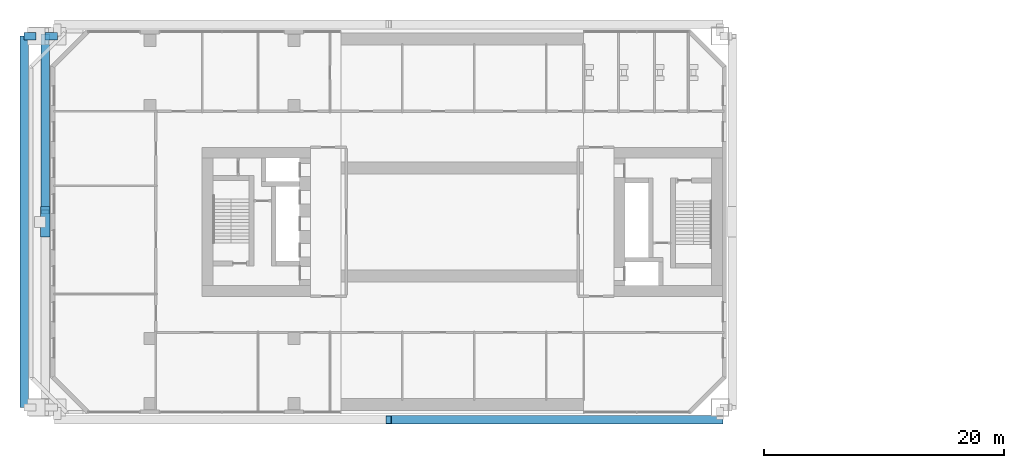
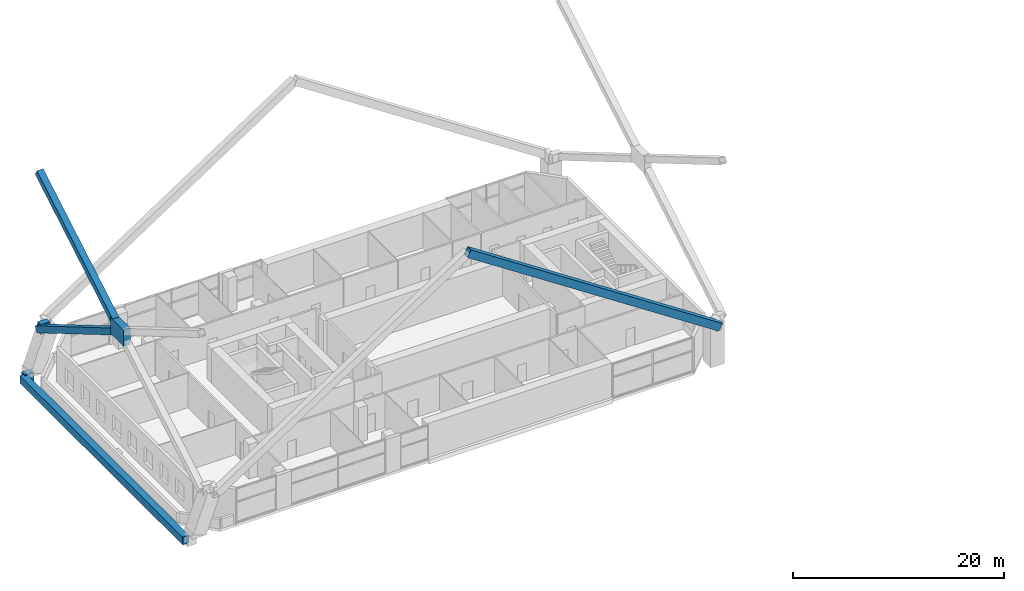
# One storey, part 4 of 25: 4 members, 3 beams.
"""IFC4 building model written with IfcOpenShell, lengths in metres."""

import ifcopenshell
import ifcopenshell.guid

model = None  # the IFC model being written
_history = None  # IfcOwnerHistory: only IFC2X3 demands one
_inside = {}  # id of a spatial element -> (the spatial element, [elements in it])
_under = {}  # id of a project, library or spatial element -> (it, [spatial elements below it])
_declared = {}  # id of a project -> (the project, [libraries it declares])
_typed = {}  # id of a type object -> (the type object, [elements of that type])
_made_of = {}  # id of a material, layer set ... -> (it, [elements and type objects made of it])


def new_model(schema):
    """Start an empty IFC model of exactly this schema.

    Asked for "IFC4X3", IfcOpenShell would pick the latest addendum, in which some entities
    have other attributes; the version numbers below select the first issue.
    IFC2X3 requires an IfcOwnerHistory on every rooted entity: one is made here for all.
    """
    global model, _history
    if schema == "IFC4X3":
        model = ifcopenshell.file(schema_version=(4, 3, 0, 0))
    else:
        model = ifcopenshell.file(schema=schema)
    _inside.clear()
    _under.clear()
    _declared.clear()
    _typed.clear()
    _made_of.clear()
    _history = None
    if model.schema == "IFC2X3":
        org = make("IfcOrganization", Name="unknown")
        user = make(
            "IfcPersonAndOrganization",
            ThePerson=make("IfcPerson", FamilyName="unknown"),
            TheOrganization=org,
        )
        app = make(
            "IfcApplication",
            ApplicationDeveloper=org,
            Version="unknown",
            ApplicationFullName="unknown",
            ApplicationIdentifier="unknown",
        )
        _history = make(
            "IfcOwnerHistory",
            OwningUser=user,
            OwningApplication=app,
            ChangeAction="ADDED",
            CreationDate=0,
        )
    return model


def make(cls, **values):
    """One entity of the class cls with the attributes given. An attribute that is None is left unset."""
    return model.create_entity(
        cls, **{name: value for name, value in values.items() if value is not None}
    )


def rooted(cls, **values):
    """An entity with a GlobalId (a new one), such as an element, a storey or a relation."""
    return make(cls, GlobalId=ifcopenshell.guid.new(), OwnerHistory=_history, **values)


def si_unit(unit_type, name, prefix=None):
    """IfcSIUnit, for example si_unit("LENGTHUNIT", "METRE", prefix="MILLI")."""
    return make("IfcSIUnit", UnitType=unit_type, Prefix=prefix, Name=name)


def assignment(units):
    """IfcUnitAssignment: the units of a project."""
    return None if units is None else make("IfcUnitAssignment", Units=units)


def point(xyz):
    """IfcCartesianPoint."""
    return None if xyz is None else make("IfcCartesianPoint", Coordinates=xyz)


def direction(xyz):
    """IfcDirection."""
    return None if xyz is None else make("IfcDirection", DirectionRatios=xyz)


def frame(location, z_axis=None, x_axis=None):
    """IfcAxis2Placement3D, a coordinate frame: its origin and axes. An axis left out is left unset."""
    return make(
        "IfcAxis2Placement3D",
        Location=point(location),
        Axis=direction(z_axis),
        RefDirection=direction(x_axis),
    )


def frame_2d(location, x_axis=None):
    """IfcAxis2Placement2D, a coordinate frame in the plane: its origin and x axis."""
    return make(
        "IfcAxis2Placement2D", Location=point(location), RefDirection=direction(x_axis)
    )


def origin():
    """The frame at (0, 0, 0) with its axes left unset."""
    return frame((0.0, 0.0, 0.0))


def origin_2d():
    """The frame at (0, 0) in the plane with its x axis left unset."""
    return frame_2d((0.0, 0.0))


def place(relative_to, where):
    """IfcLocalPlacement: puts the frame where relative to a parent placement (None: the world)."""
    return make(
        "IfcLocalPlacement", PlacementRelTo=relative_to, RelativePlacement=where
    )


def context(
    kind, dimensions, precision=None, world=None, true_north=None, identifier=None
):
    """IfcGeometricRepresentationContext, for example the 3D "Model" context."""
    return make(
        "IfcGeometricRepresentationContext",
        ContextIdentifier=identifier,
        ContextType=kind,
        CoordinateSpaceDimension=dimensions,
        Precision=precision,
        WorldCoordinateSystem=world,
        TrueNorth=true_north,
    )


def subcontext(parent, identifier, kind, view, scale=None):
    """IfcGeometricRepresentationSubContext, for example "Body" below "Model"."""
    return make(
        "IfcGeometricRepresentationSubContext",
        ContextIdentifier=identifier,
        ContextType=kind,
        ParentContext=parent,
        TargetScale=scale,
        TargetView=view,
    )


def project(units=None, contexts=None):
    """IfcProject with its units and contexts."""
    return rooted(
        "IfcProject",
        Name="project",
        RepresentationContexts=contexts,
        UnitsInContext=assignment(units),
    )


def spatial(cls, under=None, at=None, **own):
    """A site, building, storey or space (cls), placed at a placement, below another one or the project."""
    s = rooted(cls, ObjectPlacement=at, **own)
    if under is not None:
        _under.setdefault(under.id(), (under, []))[1].append(s)
    return s


def profile(cls, at=None, kind="AREA", **sizes):
    """A parametric profile (cls). Its sizes go by their IFC names, for example OverallWidth=200.0."""
    return make(cls, ProfileType=kind, Position=at, **sizes)


def rectangle(**sizes):
    """IfcRectangleProfileDef."""
    return profile("IfcRectangleProfileDef", **sizes)


def hollow_rectangle(**sizes):
    """IfcRectangleHollowProfileDef."""
    return profile("IfcRectangleHollowProfileDef", **sizes)


def extrude(swept, where, along, depth):
    """IfcExtrudedAreaSolid: the profile swept, set in the frame where, extruded along a direction by depth."""
    return make(
        "IfcExtrudedAreaSolid",
        SweptArea=swept,
        Position=where,
        ExtrudedDirection=direction(along),
        Depth=depth,
    )


def shape(context_of_items, identifier, shape_type, items):
    """IfcShapeRepresentation: the items that make up one representation, for example the "Body"."""
    return make(
        "IfcShapeRepresentation",
        ContextOfItems=context_of_items,
        RepresentationIdentifier=identifier,
        RepresentationType=shape_type,
        Items=items,
    )


def material(Name=None, Category=None):
    """IfcMaterial."""
    return make("IfcMaterial", Name=Name, Category=Category)


def material_profile(
    of_material, cross_section, Name=None, Category=None, Priority=None
):
    """IfcMaterialProfile: a cross section and its material."""
    return make(
        "IfcMaterialProfile",
        Name=Name,
        Material=of_material,
        Profile=cross_section,
        Priority=Priority,
        Category=Category,
    )


def profile_set(profiles, Name=None, composite=None):
    """IfcMaterialProfileSet."""
    return make(
        "IfcMaterialProfileSet",
        Name=Name,
        MaterialProfiles=profiles,
        CompositeProfile=composite,
    )


def made_of(thing, what):
    """Note that an element or type object is made of a material, layer set ...; save() writes the relation."""
    if what is not None:
        _made_of.setdefault(what.id(), (what, []))[1].append(thing)
    return thing


def type_object(cls, material=None, **own):
    """A type object (cls), such as IfcWallType, which elements share."""
    return made_of(rooted(cls, **own), material)


def element(
    cls,
    number,
    at=None,
    inside=None,
    cuts=None,
    type_object=None,
    material=None,
    context=None,
    identifier="Body",
    shape_type=None,
    held_by="IfcProductDefinitionShape",
    body=None,
    shapes=None,
    **own,
):
    """One element of the class cls, such as IfcWall. Its Tag is "e" and its number.

    at: its placement. inside: the storey or other place that contains it. cuts: it is an
    opening in that element (IfcRelVoidsElement). A single representation is given by context,
    identifier, shape_type and body (its items); several are given by shapes. held_by: the class
    of the entity that holds the representations. save() writes the other relations.
    """
    e = rooted(cls, Tag="e%d" % number, ObjectPlacement=at, **own)
    if body is not None:
        shapes = [shape(context, identifier, shape_type, body)]
    if shapes is not None:
        e.Representation = make(held_by, Representations=shapes)
    if inside is not None:
        _inside.setdefault(inside.id(), (inside, []))[1].append(e)
    if cuts is not None:
        rooted(
            "IfcRelVoidsElement", RelatingBuildingElement=cuts, RelatedOpeningElement=e
        )
    if type_object is not None:
        _typed.setdefault(type_object.id(), (type_object, []))[1].append(e)
    return made_of(e, material)


def aggregate(whole, parts):
    """IfcRelAggregates: a whole, such as a stair, and the parts it consists of."""
    return rooted("IfcRelAggregates", RelatingObject=whole, RelatedObjects=parts)


def save(model, path):
    """Write the relations noted so far, then the file.

    IfcRelAggregates (storeys below a building ...), IfcRelContainedInSpatialStructure (elements
    in a storey), IfcRelDefinesByType, IfcRelAssociatesMaterial and IfcRelDeclares: one each for
    every whole, place, type object, material and project.
    """
    for whole, parts in _under.values():
        aggregate(whole, parts)
    for where, things in _inside.values():
        rooted(
            "IfcRelContainedInSpatialStructure",
            RelatedElements=things,
            RelatingStructure=where,
        )
    for kind, things in _typed.values():
        rooted("IfcRelDefinesByType", RelatedObjects=things, RelatingType=kind)
    for what, things in _made_of.values():
        rooted("IfcRelAssociatesMaterial", RelatedObjects=things, RelatingMaterial=what)
    for by, libraries in _declared.values():
        rooted("IfcRelDeclares", RelatingContext=by, RelatedDefinitions=libraries)
    model.write(path)


model = new_model("IFC4")

# Units and contexts
model_context = context("Model", 3, precision=1e-05, world=origin(), true_north=direction((0.0, 1.0)))
body_context = subcontext(model_context, "Body", "Model", "MODEL_VIEW")
ifc_project = project(units=[si_unit("LENGTHUNIT", "METRE"), si_unit("AREAUNIT", "SQUARE_METRE"), si_unit("VOLUMEUNIT", "CUBIC_METRE"), si_unit("PLANEANGLEUNIT", "RADIAN"), si_unit("MASSUNIT", "GRAM", prefix="KILO")], contexts=[model_context])

# Site, building, storey
site_placement = place(None, origin())
site = spatial("IfcSite", under=ifc_project, at=site_placement, CompositionType="ELEMENT")
building_placement = place(site_placement, origin())
building = spatial("IfcBuilding", under=site, at=building_placement, Name="Tuart Gate Housing", CompositionType="ELEMENT")
storey_placement = place(building_placement, frame((0.0, 0.0, 14.699951171875)))
storey = spatial("IfcBuildingStorey", under=building, at=storey_placement, Name="L03", CompositionType="ELEMENT", Elevation=14.699951171875)

# Member
ifc_material_1 = material(Name="Steel Grade 350", Category="steel")
ifc_material_profile_1 = material_profile(ifc_material_1, rectangle(XDim=2.537109375, YDim=1.864013671875, at=origin_2d()), Name="Brace node plate 2537 x 1864")
ifc_profile_set_1 = profile_set([ifc_material_profile_1], Name="Steel Grade 350")
member_type_1 = type_object("IfcMemberType", Name="Brace node plate 2537 x 1864", PredefinedType="PLATE", material=ifc_profile_set_1)
member_1_placement = place(storey_placement, frame((18.9150390625, 70.0, 13.900146484375), z_axis=(1.0, 0.0, 0.0), x_axis=(0.0, 1.0, 0.0)))
element("IfcMember", 1, at=member_1_placement, inside=storey, type_object=member_type_1, Name="Brace node A zone 1 west", PredefinedType="PLATE", context=body_context, shape_type="SweptSolid", body=[
    extrude(rectangle(XDim=2.537109375, YDim=1.864013671875, at=origin_2d()), origin(), (0.0, 0.0, 1.0), 0.77001953125),
])

# Beams
ifc_material_2 = material(Name="Steel Grade 350", Category="steel")
ifc_material_profile_2 = material_profile(ifc_material_2, hollow_rectangle(XDim=0.60009765625, YDim=1.199951171875, WallThickness=0.0400390625, at=origin_2d()), Name="BOX 1200x600x40")
ifc_profile_set_2 = profile_set([ifc_material_profile_2], Name="Steel Grade 350")
beam_type_1 = type_object("IfcBeamType", Name="Brace shoe BOX 1200x600x40", PredefinedType="BEAM", material=ifc_profile_set_2)
for number, where, z_axis, x_axis, name in (
    (2, (18.550048828125, 85.449951171875, -0.39990234375), (-1.0, 0.0, 0.0), (0.0, -1.0, 0.0), "Mega tie beam A node 0 west shoe 1 L03"),
    (3, (20.300048828125, 85.449951171875, 4.800048828125), (-1.0, 0.0, 0.0), (0.0, -1.0, 0.0), "Mega brace shoe A zone 1 west cross 2"),
):
    element("IfcBeam", number, at=place(storey_placement, frame(where, z_axis=z_axis, x_axis=x_axis)), inside=storey, type_object=beam_type_1, Name=name, PredefinedType="BEAM", context=body_context, shape_type="SweptSolid", body=[
        extrude(hollow_rectangle(XDim=0.60009765625, YDim=1.199951171875, WallThickness=0.0400390625, at=origin_2d()), origin(), (0.0, 0.0, 1.0), 1.0),
    ])

# Members
ifc_material_3 = material(Name="Steel Grade 350", Category="steel")
ifc_material_profile_3 = material_profile(ifc_material_3, hollow_rectangle(XDim=0.699951171875, YDim=0.699951171875, WallThickness=0.034912109375, at=origin_2d()), Name="BOX 700x700x35")
ifc_profile_set_3 = profile_set([ifc_material_profile_3], Name="Steel Grade 350")
member_type_2 = type_object("IfcMemberType", Name="Mega brace BOX 700x700x35", PredefinedType="BRACE", material=ifc_profile_set_3)
for number, where, z_axis, x_axis, name in (
    (4, (19.300048828125, 70.818603515625, 14.382080078125), (0.0, 0.861644676374, 0.507512021214), (-1.0, 0.0, 0.0), "Mega brace A zone 1 west cross 1 b"),
    (5, (19.300048828125, 85.449951171875, 4.800048828125), (0.0, -0.861644676374, 0.507512021214), (1.0, 0.0, 0.0), "Mega brace A zone 1 west cross 2 a"),
):
    element("IfcMember", number, at=place(storey_placement, frame(where, z_axis=z_axis, x_axis=x_axis)), inside=storey, type_object=member_type_2, Name=name, PredefinedType="BRACE", context=body_context, shape_type="SweptSolid", body=[
        extrude(hollow_rectangle(XDim=0.699951171875, YDim=0.699951171875, WallThickness=0.034912109375, at=origin_2d()), origin(), (0.0, 0.0, 1.0), 16.980712890625),
    ])
ifc_material_4 = material(Name="Steel Grade 350", Category="steel")
ifc_material_profile_4 = material_profile(ifc_material_4, hollow_rectangle(XDim=0.699951171875, YDim=0.85009765625, WallThickness=0.0419921875, at=origin_2d()), Name="BOX 850x700x42")
ifc_profile_set_4 = profile_set([ifc_material_profile_4], Name="Steel Grade 350")
member_type_3 = type_object("IfcMemberType", Name="Mega brace BOX 850x700x42", PredefinedType="BRACE", material=ifc_profile_set_4)
member_2_placement = place(storey_placement, frame((75.449951171875, 53.550048828125, 4.800048828125), z_axis=(-0.83460268013, 0.0, 0.550852399759), x_axis=(0.0, -1.0, 0.0)))
element("IfcMember", 6, at=member_2_placement, inside=storey, type_object=member_type_3, Name="Mega brace A zone 1 south chevron 2", PredefinedType="BRACE", context=body_context, shape_type="SweptSolid", body=[
    extrude(hollow_rectangle(XDim=0.699951171875, YDim=0.85009765625, WallThickness=0.0419921875, at=origin_2d()), origin(), (0.0, 0.0, 1.0), 33.03955078125),
])

# Beam
ifc_material_5 = material(Name="Steel Grade 350", Category="steel")
ifc_material_profile_5 = material_profile(ifc_material_5, hollow_rectangle(XDim=0.699951171875, YDim=0.89990234375, WallThickness=0.0400390625, at=origin_2d()), Name="BOX 900x700x40")
ifc_profile_set_5 = profile_set([ifc_material_profile_5], Name="Steel Grade 350")
beam_type_2 = type_object("IfcBeamType", Name="Tie beam BOX 900x700x40", PredefinedType="BEAM", material=ifc_profile_set_5)
beam_placement = place(storey_placement, frame((17.550048828125, 54.550048828125, -0.39990234375), z_axis=(0.0, 1.0, 0.0), x_axis=(-1.0, 0.0, 0.0)))
element("IfcBeam", 7, at=beam_placement, inside=storey, type_object=beam_type_2, Name="Mega tie beam A node 0 west L03", PredefinedType="BEAM", context=body_context, shape_type="SweptSolid", body=[
    extrude(hollow_rectangle(XDim=0.699951171875, YDim=0.89990234375, WallThickness=0.0400390625, at=origin_2d()), origin(), (0.0, 0.0, 1.0), 30.89990234375),
])

save(model, "model.ifc")
